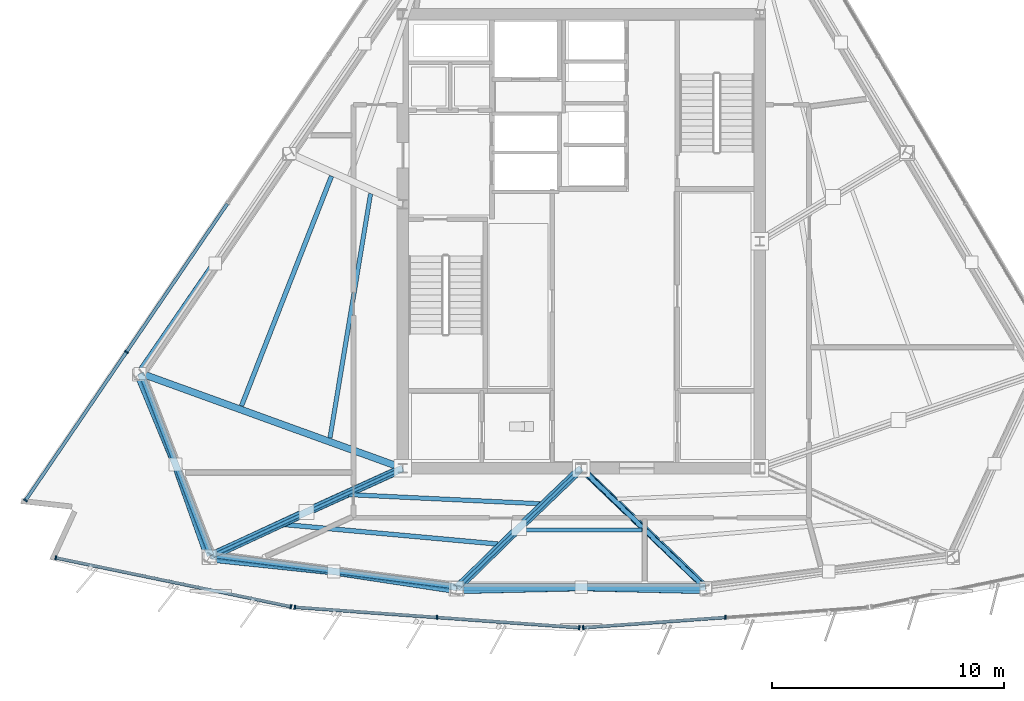
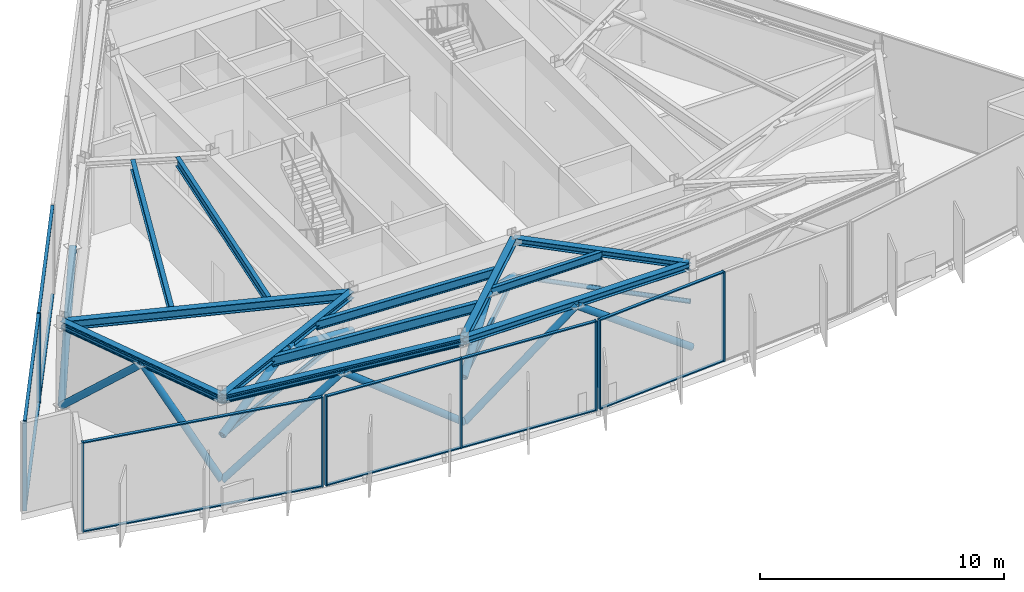
# One storey, part 2 of 14: 37 members, 12 beams, 4 elements without a shape of their own.
"""IFC4 building model written with IfcOpenShell, lengths in metres."""

from ifc_helpers import new_model, si_unit, direction, frame, origin, origin_2d, place, context, subcontext, project, spatial, rectangle, hollow_rectangle, hollow_circle, i_section, extrude, material, material_profile, profile_set, type_object, element, aggregate, save


model = new_model("IFC4")

# Units and contexts
model_context = context("Model", 3, precision=1e-05, world=origin(), true_north=direction((0.0, 1.0)))
body_context = subcontext(model_context, "Body", "Model", "MODEL_VIEW")
ifc_project = project(units=[si_unit("LENGTHUNIT", "METRE"), si_unit("AREAUNIT", "SQUARE_METRE"), si_unit("VOLUMEUNIT", "CUBIC_METRE"), si_unit("PLANEANGLEUNIT", "RADIAN"), si_unit("MASSUNIT", "GRAM", prefix="KILO")], contexts=[model_context])

# Site, building, storey
site_placement = place(None, origin())
site = spatial("IfcSite", under=ifc_project, at=site_placement, CompositionType="ELEMENT")
building_placement = place(site_placement, origin())
building = spatial("IfcBuilding", under=site, at=building_placement, Name="Savorim Split Tower", CompositionType="ELEMENT")
storey_placement = place(building_placement, frame((0.0, 0.0, 241.5)))
storey = spatial("IfcBuildingStorey", under=building, at=storey_placement, Name="L64", CompositionType="ELEMENT", Elevation=241.5)

# Beams
ifc_material_1 = material(Name="Steel S355", Category="steel")
ifc_material_profile_1 = material_profile(ifc_material_1, i_section(OverallWidth=0.179931640625, OverallDepth=0.39990234375, WebThickness=0.008544921875, FlangeThickness=0.013427734375, FilletRadius=0.02099609375, at=origin_2d()), Name="IPE 400")
ifc_profile_set_1 = profile_set([ifc_material_profile_1], Name="Steel S355")
beam_type_1 = type_object("IfcBeamType", Name="BM-JST-IPE400", PredefinedType="JOIST", material=ifc_profile_set_1)
beam_1_placement = place(storey_placement, frame((-2.62890625, -12.0703125, 4.300048828125), z_axis=(1.0, 0.0, 0.0), x_axis=(0.0, 1.0, 0.0)))
element("IfcBeam", 1, at=beam_1_placement, inside=storey, type_object=beam_type_1, Name="L64 Secondary Floor Joist JS-03", PredefinedType="JOIST", context=body_context, shape_type="SweptSolid", body=[
    extrude(i_section(OverallWidth=0.179931640625, OverallDepth=0.39990234375, WebThickness=0.008544921875, FlangeThickness=0.013427734375, FilletRadius=0.02099609375, at=origin_2d()), origin(), (0.0, 0.0, 1.0), 5.2578125),
])
ifc_material_profile_2 = material_profile(ifc_material_1, i_section(OverallWidth=0.18994140625, OverallDepth=0.449951171875, WebThickness=0.009521484375, FlangeThickness=0.0146484375, FilletRadius=0.02099609375, at=origin_2d()), Name="IPE 450")
ifc_profile_set_2 = profile_set([ifc_material_profile_2], Name="Steel S355")
beam_type_2 = type_object("IfcBeamType", Name="BM-JST-IPE450", PredefinedType="JOIST", material=ifc_profile_set_2)
beam_2_placement = place(storey_placement, frame((-10.03076171875, -10.538330078125, 4.27490234375), z_axis=(0.998861784835, -0.047698373106, 0.0), x_axis=(0.047698373106, 0.998861784835, 0.0)))
element("IfcBeam", 2, at=beam_2_placement, inside=storey, type_object=beam_type_2, Name="L64 Secondary Floor Joist JS-02", PredefinedType="JOIST", context=body_context, shape_type="SweptSolid", body=[
    extrude(i_section(OverallWidth=0.18994140625, OverallDepth=0.449951171875, WebThickness=0.009521484375, FlangeThickness=0.0146484375, FilletRadius=0.02099609375, at=origin_2d()), origin(), (0.0, 0.0, 1.0), 8.271484375),
])
beam_3_placement = place(storey_placement, frame((-9.090087890625, 2.452880859375, 4.27490234375), z_axis=(-0.163995363288, -0.986461109634, 0.0), x_axis=(0.986461109634, -0.163995363288, 0.0)))
element("IfcBeam", 3, at=beam_3_placement, inside=storey, type_object=beam_type_2, Name="L64 Secondary Floor Joist JS-11", PredefinedType="JOIST", context=body_context, shape_type="SweptSolid", body=[
    extrude(i_section(OverallWidth=0.18994140625, OverallDepth=0.449951171875, WebThickness=0.009521484375, FlangeThickness=0.0146484375, FilletRadius=0.02099609375, at=origin_2d()), origin(), (0.0, 0.0, 1.0), 10.69189453125),
])
ifc_material_profile_3 = material_profile(ifc_material_1, i_section(OverallWidth=0.199951171875, OverallDepth=0.5, WebThickness=0.01025390625, FlangeThickness=0.01611328125, FilletRadius=0.02099609375, at=origin_2d()), Name="IPE 500")
ifc_profile_set_3 = profile_set([ifc_material_profile_3], Name="Steel S355")
beam_type_3 = type_object("IfcBeamType", Name="BM-JST-IPE500", PredefinedType="JOIST", material=ifc_profile_set_3)
beam_4_placement = place(storey_placement, frame((-12.853759765625, -11.82666015625, 4.25), z_axis=(0.995862164865, -0.090876556876, 0.0), x_axis=(0.090876556876, 0.995862164865, 0.0)))
element("IfcBeam", 4, at=beam_4_placement, inside=storey, type_object=beam_type_3, Name="L64 Secondary Floor Joist JS-01", PredefinedType="JOIST", context=body_context, shape_type="SweptSolid", body=[
    extrude(i_section(OverallWidth=0.199951171875, OverallDepth=0.5, WebThickness=0.01025390625, FlangeThickness=0.01611328125, FilletRadius=0.02099609375, at=origin_2d()), origin(), (0.0, 0.0, 1.0), 9.30078125),
])
beam_5_placement = place(storey_placement, frame((-10.778564453125, 3.202880859375, 4.25), z_axis=(-0.364686429979, -0.931130392474, 0.0), x_axis=(0.931130392474, -0.364686429979, 0.0)))
element("IfcBeam", 5, at=beam_5_placement, inside=storey, type_object=beam_type_3, Name="L64 Secondary Floor Joist JS-10", PredefinedType="JOIST", context=body_context, shape_type="SweptSolid", body=[
    extrude(i_section(OverallWidth=0.199951171875, OverallDepth=0.5, WebThickness=0.01025390625, FlangeThickness=0.01611328125, FilletRadius=0.02099609375, at=origin_2d()), origin(), (0.0, 0.0, 1.0), 10.64501953125),
])
ifc_material_profile_4 = material_profile(ifc_material_1, i_section(OverallWidth=0.300048828125, OverallDepth=0.320068359375, WebThickness=0.011474609375, FlangeThickness=0.0205078125, FilletRadius=0.027099609375, at=origin_2d()), Name="HEB 320")
ifc_profile_set_4 = profile_set([ifc_material_profile_4], Name="Steel S355")
beam_type_4 = type_object("IfcBeamType", Name="BM-PRI-HEB320", PredefinedType="BEAM", material=ifc_profile_set_4)
beam_6_placement = place(storey_placement, frame((-16.001708984375, -13.169189453125, 4.340087890625), z_axis=(0.910541549997, 0.413417568239, 0.0), x_axis=(-0.413417568239, 0.910541549997, 0.0)))
element("IfcBeam", 6, at=beam_6_placement, inside=storey, type_object=beam_type_4, Name="L64 Primary Floor Girder RG-01", PredefinedType="BEAM", context=body_context, shape_type="SweptSolid", body=[
    extrude(i_section(OverallWidth=0.300048828125, OverallDepth=0.320068359375, WebThickness=0.011474609375, FlangeThickness=0.0205078125, FilletRadius=0.027099609375, at=origin_2d()), origin(), (0.0, 0.0, 1.0), 9.117431640625),
])
for number, where, z_axis, x_axis, name in (
    (7, (-5.363037109375, -14.534912109375, 4.340087890625), (0.722295429278, 0.691584638959, 0.0), (-0.691584638959, 0.722295429278, 0.0), "L64 Primary Floor Girder RG-02"),
    (8, (5.363037109375, -14.534912109375, 4.340087890625), (-0.722295429278, 0.691584638959, 0.0), (-0.691584638959, -0.722295429278, 0.0), "L64 Primary Floor Girder RG-03"),
):
    element("IfcBeam", number, at=place(storey_placement, frame(where, z_axis=z_axis, x_axis=x_axis)), inside=storey, type_object=beam_type_4, Name=name, PredefinedType="BEAM", context=body_context, shape_type="SweptSolid", body=[
        extrude(i_section(OverallWidth=0.300048828125, OverallDepth=0.320068359375, WebThickness=0.011474609375, FlangeThickness=0.0205078125, FilletRadius=0.027099609375, at=origin_2d()), origin(), (0.0, 0.0, 1.0), 7.425048828125),
    ])
ifc_material_profile_5 = material_profile(ifc_material_1, i_section(OverallWidth=0.300048828125, OverallDepth=0.449951171875, WebThickness=0.013916015625, FlangeThickness=0.02587890625, FilletRadius=0.027099609375, at=origin_2d()), Name="HEB 450")
ifc_profile_set_5 = profile_set([ifc_material_profile_5], Name="Steel S355")
beam_type_5 = type_object("IfcBeamType", Name="BM-PRI-HEB450", PredefinedType="BEAM", material=ifc_profile_set_5)
beam_7_placement = place(storey_placement, frame((-19.020751953125, -5.2998046875, 4.27490234375), z_axis=(0.94023428768, -0.340528242987, 0.0), x_axis=(0.340528242987, 0.94023428768, 0.0)))
element("IfcBeam", 9, at=beam_7_placement, inside=storey, type_object=beam_type_5, Name="L64 Primary Floor Girder RG-10", PredefinedType="BEAM", context=body_context, shape_type="SweptSolid", body=[
    extrude(i_section(OverallWidth=0.300048828125, OverallDepth=0.449951171875, WebThickness=0.013916015625, FlangeThickness=0.02587890625, FilletRadius=0.027099609375, at=origin_2d()), origin(), (0.0, 0.0, 1.0), 12.040283203125),
])
ifc_material_profile_6 = material_profile(ifc_material_1, i_section(OverallWidth=0.300048828125, OverallDepth=0.35009765625, WebThickness=0.010009765625, FlangeThickness=0.017578125, FilletRadius=0.027099609375, at=origin_2d()), Name="HEA 360")
ifc_profile_set_6 = profile_set([ifc_material_profile_6], Name="Steel S355")
beam_type_6 = type_object("IfcBeamType", Name="BM-SPN-HEA360", PredefinedType="SPANDREL", material=ifc_profile_set_6)
for number, where, z_axis, x_axis, name in (
    (10, (-16.001708984375, -13.169189453125, 4.324951171875), (0.991860597324, -0.127328533629, 0.0), (0.127328533629, 0.991860597324, 0.0), "L64 Perimeter Spandrel Beam 1"),
    (11, (-5.363037109375, -14.534912109375, 4.324951171875), (1.0, 0.0, 0.0), (0.0, 1.0, 0.0), "L64 Perimeter Spandrel Beam 2"),
):
    element("IfcBeam", number, at=place(storey_placement, frame(where, z_axis=z_axis, x_axis=x_axis)), inside=storey, type_object=beam_type_6, Name=name, PredefinedType="SPANDREL", context=body_context, shape_type="SweptSolid", body=[
        extrude(i_section(OverallWidth=0.300048828125, OverallDepth=0.35009765625, WebThickness=0.010009765625, FlangeThickness=0.017578125, FilletRadius=0.027099609375, at=origin_2d()), origin(), (0.0, 0.0, 1.0), 10.72607421875),
    ])
beam_8_placement = place(storey_placement, frame((-19.020751953125, -5.2998046875, 4.324951171875), z_axis=(0.358188965456, -0.933649112368, 0.0), x_axis=(0.933649112368, 0.358188965456, 0.0)))
element("IfcBeam", 12, at=beam_8_placement, inside=storey, type_object=beam_type_6, Name="L64 Perimeter Spandrel Beam 10", PredefinedType="SPANDREL", context=body_context, shape_type="SweptSolid", body=[
    extrude(i_section(OverallWidth=0.300048828125, OverallDepth=0.35009765625, WebThickness=0.010009765625, FlangeThickness=0.017578125, FilletRadius=0.027099609375, at=origin_2d()), origin(), (0.0, 0.0, 1.0), 8.4287109375),
])

# Curtain wall, members
ifc_material_2 = material(Name="Dark Ceramic-Fritted Insulated Glass", Category="glass")
curtain_wall_type = type_object("IfcCurtainWallType", Name="CW-REFUGE-LVR", PredefinedType="NOTDEFINED", material=ifc_material_2)
curtain_wall_1_placement = place(storey_placement, origin())
curtain_wall_1 = element("IfcCurtainWall", 13, at=curtain_wall_1_placement, inside=storey, type_object=curtain_wall_type, Name="L64 Curtain Wall CW-L64-SF1", PredefinedType="NOTDEFINED")
ifc_material_3 = material(Name="Charcoal Anodised Aluminium", Category="aluminium")
ifc_material_profile_7 = material_profile(ifc_material_3, rectangle(XDim=0.179931640625, YDim=0.06494140625, at=origin_2d()), Name="ALU-M 180x65")
ifc_profile_set_7 = profile_set([ifc_material_profile_7], Name="Charcoal Anodised Aluminium")
member_type_1 = type_object("IfcMemberType", Name="CWM-180x65", PredefinedType="MULLION", material=ifc_profile_set_7)
member_1_placement = place(storey_placement, frame((-22.675537109375, -13.2666015625, 0.0), z_axis=(0.0, 0.0, 1.0), x_axis=(0.20320761208, 0.979135673129, 0.0)))
member_1 = element("IfcMember", 14, at=member_1_placement, type_object=member_type_1, Name="CW-06 mullion 1", PredefinedType="MULLION", context=body_context, shape_type="SweptSolid", body=[
    extrude(rectangle(XDim=0.179931640625, YDim=0.06494140625, at=origin_2d()), origin(), (0.0, 0.0, 1.0), 4.5),
])
member_2_placement = place(storey_placement, frame((-12.526611328125, -15.372802734375, 0.0), z_axis=(0.0, 0.0, 1.0), x_axis=(0.20320761208, 0.979135673129, 0.0)))
member_2 = element("IfcMember", 15, at=member_2_placement, type_object=member_type_1, Name="CW-06 mullion 2", PredefinedType="MULLION", context=body_context, shape_type="SweptSolid", body=[
    extrude(rectangle(XDim=0.179931640625, YDim=0.06494140625, at=origin_2d()), origin(), (0.0, 0.0, 1.0), 4.5),
])

curtain_wall_2_placement = place(storey_placement, origin())
curtain_wall_2 = element("IfcCurtainWall", 16, at=curtain_wall_2_placement, inside=storey, type_object=curtain_wall_type, Name="L64 Curtain Wall CW-L64-SF2", PredefinedType="NOTDEFINED")
member_3_placement = place(storey_placement, frame((-12.359619140625, -15.396240234375, 0.0), z_axis=(0.0, 0.0, 1.0), x_axis=(0.071562386711, 0.997436125678, 0.0)))
member_3 = element("IfcMember", 17, at=member_3_placement, type_object=member_type_1, Name="CW-06 mullion 1", PredefinedType="MULLION", context=body_context, shape_type="SweptSolid", body=[
    extrude(rectangle(XDim=0.179931640625, YDim=0.06494140625, at=origin_2d()), origin(), (0.0, 0.0, 1.0), 4.5),
])
member_4_placement = place(storey_placement, frame((-6.2216796875, -15.83642578125, 0.0), z_axis=(0.0, 0.0, 1.0), x_axis=(0.071562386711, 0.997436125678, 0.0)))
member_4 = element("IfcMember", 18, at=member_4_placement, type_object=member_type_1, Name="CW-06 mullion 2", PredefinedType="MULLION", context=body_context, shape_type="SweptSolid", body=[
    extrude(rectangle(XDim=0.179931640625, YDim=0.06494140625, at=origin_2d()), origin(), (0.0, 0.0, 1.0), 4.5),
])
member_5_placement = place(storey_placement, frame((-0.083740234375, -16.27685546875, 0.0), z_axis=(0.0, 0.0, 1.0), x_axis=(0.071562386711, 0.997436125678, 0.0)))
member_5 = element("IfcMember", 19, at=member_5_placement, type_object=member_type_1, Name="CW-06 mullion 3", PredefinedType="MULLION", context=body_context, shape_type="SweptSolid", body=[
    extrude(rectangle(XDim=0.179931640625, YDim=0.06494140625, at=origin_2d()), origin(), (0.0, 0.0, 1.0), 4.5),
])

curtain_wall_3_placement = place(storey_placement, origin())
curtain_wall_3 = element("IfcCurtainWall", 20, at=curtain_wall_3_placement, inside=storey, type_object=curtain_wall_type, Name="L64 Curtain Wall CW-L64-SF3", PredefinedType="NOTDEFINED")
member_6_placement = place(storey_placement, frame((0.083740234375, -16.27685546875, 0.0), z_axis=(0.0, 0.0, 1.0), x_axis=(-0.071562386711, 0.997436125678, 0.0)))
member_6 = element("IfcMember", 21, at=member_6_placement, type_object=member_type_1, Name="CW-06 mullion 1", PredefinedType="MULLION", context=body_context, shape_type="SweptSolid", body=[
    extrude(rectangle(XDim=0.179931640625, YDim=0.06494140625, at=origin_2d()), origin(), (0.0, 0.0, 1.0), 4.5),
])
member_7_placement = place(storey_placement, frame((6.2216796875, -15.83642578125, 0.0), z_axis=(0.0, 0.0, 1.0), x_axis=(-0.071562386711, 0.997436125678, 0.0)))
member_7 = element("IfcMember", 22, at=member_7_placement, type_object=member_type_1, Name="CW-06 mullion 2", PredefinedType="MULLION", context=body_context, shape_type="SweptSolid", body=[
    extrude(rectangle(XDim=0.179931640625, YDim=0.06494140625, at=origin_2d()), origin(), (0.0, 0.0, 1.0), 4.5),
])

curtain_wall_4_placement = place(storey_placement, origin())
curtain_wall_4 = element("IfcCurtainWall", 23, at=curtain_wall_4_placement, inside=storey, type_object=curtain_wall_type, Name="L64 Curtain Wall CW-L64-WEST", PredefinedType="NOTDEFINED")
member_8_placement = place(storey_placement, frame((-19.6240234375, -4.38525390625, 0.0), z_axis=(0.0, 0.0, 1.0), x_axis=(0.826818160785, -0.562469313826, 0.0)))
member_8 = element("IfcMember", 24, at=member_8_placement, type_object=member_type_1, Name="CW-06 mullion 5", PredefinedType="MULLION", context=body_context, shape_type="SweptSolid", body=[
    extrude(rectangle(XDim=0.179931640625, YDim=0.06494140625, at=origin_2d()), origin(), (0.0, 0.0, 1.0), 4.5),
])
member_9_placement = place(storey_placement, frame((-23.978515625, -10.786376953125, 0.0), z_axis=(0.0, 0.0, 1.0), x_axis=(0.826818160785, -0.562469313826, 0.0)))
member_9 = element("IfcMember", 25, at=member_9_placement, type_object=member_type_1, Name="CW-06 mullion 6", PredefinedType="MULLION", context=body_context, shape_type="SweptSolid", body=[
    extrude(rectangle(XDim=0.179931640625, YDim=0.06494140625, at=origin_2d()), origin(), (0.0, 0.0, 1.0), 4.5),
])

# Member
ifc_material_profile_8 = material_profile(ifc_material_3, rectangle(XDim=0.139892578125, YDim=0.054931640625, at=origin_2d()), Name="ALU-T 140x55")
ifc_profile_set_8 = profile_set([ifc_material_profile_8], Name="Charcoal Anodised Aluminium")
member_type_2 = type_object("IfcMemberType", Name="CWT-140x55", PredefinedType="USERDEFINED", material=ifc_profile_set_8)
member_10_placement = place(storey_placement, frame((-22.643798828125, -13.273193359375, 0.027587890625), z_axis=(0.979137485667, -0.20319887835, 0.0), x_axis=(0.20319887835, 0.979137485667, 0.0)))
member_10 = element("IfcMember", 26, at=member_10_placement, type_object=member_type_2, Name="CW-06 transom 1.1", ObjectType="TRANSOM", PredefinedType="USERDEFINED", context=body_context, shape_type="SweptSolid", body=[
    extrude(rectangle(XDim=0.139892578125, YDim=0.054931640625, at=origin_2d()), origin(), (0.0, 0.0, 1.0), 10.30029296875),
])

member_11_placement = place(storey_placement, frame((-22.643798828125, -13.273193359375, 4.472412109375), z_axis=(0.979137485667, -0.20319887835, 0.0), x_axis=(0.20319887835, 0.979137485667, 0.0)))
member_11 = element("IfcMember", 27, at=member_11_placement, type_object=member_type_2, Name="CW-06 transom 1.2", ObjectType="TRANSOM", PredefinedType="USERDEFINED", context=body_context, shape_type="SweptSolid", body=[
    extrude(rectangle(XDim=0.139892578125, YDim=0.054931640625, at=origin_2d()), origin(), (0.0, 0.0, 1.0), 10.30029296875),
])

aggregate(curtain_wall_1, [member_1, member_2, member_10, member_11])

member_12_placement = place(storey_placement, frame((-12.3271484375, -15.3984375, 0.027587890625), z_axis=(0.997435238596, -0.071574749785, 0.0), x_axis=(0.071574749785, 0.997435238596, 0.0)))
member_12 = element("IfcMember", 28, at=member_12_placement, type_object=member_type_2, Name="CW-06 transom 1.1", ObjectType="TRANSOM", PredefinedType="USERDEFINED", context=body_context, shape_type="SweptSolid", body=[
    extrude(rectangle(XDim=0.139892578125, YDim=0.054931640625, at=origin_2d()), origin(), (0.0, 0.0, 1.0), 6.088623046875),
])

member_13_placement = place(storey_placement, frame((-12.3271484375, -15.3984375, 4.472412109375), z_axis=(0.997435238596, -0.071574749785, 0.0), x_axis=(0.071574749785, 0.997435238596, 0.0)))
member_13 = element("IfcMember", 29, at=member_13_placement, type_object=member_type_2, Name="CW-06 transom 1.2", ObjectType="TRANSOM", PredefinedType="USERDEFINED", context=body_context, shape_type="SweptSolid", body=[
    extrude(rectangle(XDim=0.139892578125, YDim=0.054931640625, at=origin_2d()), origin(), (0.0, 0.0, 1.0), 6.088623046875),
])

member_14_placement = place(storey_placement, frame((-6.189208984375, -15.8388671875, 0.027587890625), z_axis=(0.997435238596, -0.071574749785, 0.0), x_axis=(0.071574749785, 0.997435238596, 0.0)))
member_14 = element("IfcMember", 30, at=member_14_placement, type_object=member_type_2, Name="CW-06 transom 2.1", ObjectType="TRANSOM", PredefinedType="USERDEFINED", context=body_context, shape_type="SweptSolid", body=[
    extrude(rectangle(XDim=0.139892578125, YDim=0.054931640625, at=origin_2d()), origin(), (0.0, 0.0, 1.0), 6.088623046875),
])

member_15_placement = place(storey_placement, frame((-6.189208984375, -15.8388671875, 4.472412109375), z_axis=(0.997435238596, -0.071574749785, 0.0), x_axis=(0.071574749785, 0.997435238596, 0.0)))
member_15 = element("IfcMember", 31, at=member_15_placement, type_object=member_type_2, Name="CW-06 transom 2.2", ObjectType="TRANSOM", PredefinedType="USERDEFINED", context=body_context, shape_type="SweptSolid", body=[
    extrude(rectangle(XDim=0.139892578125, YDim=0.054931640625, at=origin_2d()), origin(), (0.0, 0.0, 1.0), 6.088623046875),
])

aggregate(curtain_wall_2, [member_3, member_4, member_5, member_12, member_13, member_14, member_15])

member_16_placement = place(storey_placement, frame((0.1162109375, -16.274658203125, 0.027587890625), z_axis=(0.997435238596, 0.071574749785, 0.0), x_axis=(-0.071574749785, 0.997435238596, 0.0)))
member_16 = element("IfcMember", 32, at=member_16_placement, type_object=member_type_2, Name="CW-06 transom 1.1", ObjectType="TRANSOM", PredefinedType="USERDEFINED", context=body_context, shape_type="SweptSolid", body=[
    extrude(rectangle(XDim=0.139892578125, YDim=0.054931640625, at=origin_2d()), origin(), (0.0, 0.0, 1.0), 6.088623046875),
])

member_17_placement = place(storey_placement, frame((0.1162109375, -16.274658203125, 4.472412109375), z_axis=(0.997435238596, 0.071574749785, 0.0), x_axis=(-0.071574749785, 0.997435238596, 0.0)))
member_17 = element("IfcMember", 33, at=member_17_placement, type_object=member_type_2, Name="CW-06 transom 1.2", ObjectType="TRANSOM", PredefinedType="USERDEFINED", context=body_context, shape_type="SweptSolid", body=[
    extrude(rectangle(XDim=0.139892578125, YDim=0.054931640625, at=origin_2d()), origin(), (0.0, 0.0, 1.0), 6.088623046875),
])

aggregate(curtain_wall_3, [member_6, member_7, member_16, member_17])

member_18_placement = place(storey_placement, frame((-15.269287109375, 2.01611328125, 0.027587890625), z_axis=(-0.562480647438, -0.826810450622, 0.0), x_axis=(0.826810450622, -0.562480647438, 0.0)))
member_18 = element("IfcMember", 34, at=member_18_placement, type_object=member_type_2, Name="CW-06 transom 4.1", ObjectType="TRANSOM", PredefinedType="USERDEFINED", context=body_context, shape_type="SweptSolid", body=[
    extrude(rectangle(XDim=0.139892578125, YDim=0.054931640625, at=origin_2d()), origin(), (0.0, 0.0, 1.0), 7.70947265625),
])

member_19_placement = place(storey_placement, frame((-15.269287109375, 2.01611328125, 4.472412109375), z_axis=(-0.562480647438, -0.826810450622, 0.0), x_axis=(0.826810450622, -0.562480647438, 0.0)))
member_19 = element("IfcMember", 35, at=member_19_placement, type_object=member_type_2, Name="CW-06 transom 4.2", ObjectType="TRANSOM", PredefinedType="USERDEFINED", context=body_context, shape_type="SweptSolid", body=[
    extrude(rectangle(XDim=0.139892578125, YDim=0.054931640625, at=origin_2d()), origin(), (0.0, 0.0, 1.0), 7.70947265625),
])

member_20_placement = place(storey_placement, frame((-19.642333984375, -4.412109375, 0.027587890625), z_axis=(-0.56247702116, -0.826812917574, 0.0), x_axis=(0.826812917574, -0.56247702116, 0.0)))
member_20 = element("IfcMember", 36, at=member_20_placement, type_object=member_type_2, Name="CW-06 transom 5.1", ObjectType="TRANSOM", PredefinedType="USERDEFINED", context=body_context, shape_type="SweptSolid", body=[
    extrude(rectangle(XDim=0.139892578125, YDim=0.054931640625, at=origin_2d()), origin(), (0.0, 0.0, 1.0), 7.677001953125),
])

member_21_placement = place(storey_placement, frame((-19.642333984375, -4.412109375, 4.472412109375), z_axis=(-0.56247702116, -0.826812917574, 0.0), x_axis=(0.826812917574, -0.56247702116, 0.0)))
member_21 = element("IfcMember", 37, at=member_21_placement, type_object=member_type_2, Name="CW-06 transom 5.2", ObjectType="TRANSOM", PredefinedType="USERDEFINED", context=body_context, shape_type="SweptSolid", body=[
    extrude(rectangle(XDim=0.139892578125, YDim=0.054931640625, at=origin_2d()), origin(), (0.0, 0.0, 1.0), 7.677001953125),
])

aggregate(curtain_wall_4, [member_8, member_9, member_18, member_19, member_20, member_21])

# Members
ifc_material_profile_9 = material_profile(ifc_material_1, hollow_circle(Radius=0.109619140625, WallThickness=0.012451171875, at=origin_2d()), Name="CHS 219.1x12.5")
ifc_profile_set_9 = profile_set([ifc_material_profile_9], Name="Steel S355")
member_type_3 = type_object("IfcMemberType", Name="MBR-BAY-CHS219", PredefinedType="BRACE", material=ifc_profile_set_9)
member_22_placement = place(storey_placement, frame((0.0, -9.39990234375, 2.52001953125), z_axis=(0.718925276981, -0.695087365817, 0.0), x_axis=(0.695087365817, 0.718925276981, 0.0)))
element("IfcMember", 38, at=member_22_placement, inside=storey, type_object=member_type_3, Name="L64 Secondary Belt Tie Strut 1", PredefinedType="BRACE", context=body_context, shape_type="SweptSolid", body=[
    extrude(hollow_circle(Radius=0.109619140625, WallThickness=0.012451171875, at=origin_2d()), origin(), (0.0, 0.0, 1.0), 7.476318359375),
])
ifc_material_4 = material(Name="Steel S460", Category="steel")
ifc_material_profile_10 = material_profile(ifc_material_4, hollow_circle(Radius=0.161865234375, WallThickness=0.01611328125, at=origin_2d()), Name="CHS 323.9x16")
ifc_profile_set_10 = profile_set([ifc_material_profile_10], Name="Steel S460")
member_type_4 = type_object("IfcMemberType", Name="MBR-BLT-CHS324", PredefinedType="BRACE", material=ifc_profile_set_10)
member_23_placement = place(storey_placement, frame((-16.073486328125, -13.28564453125, 0.280029296875), z_axis=(0.80801514197, -0.084892452195, 0.583013552079), x_axis=(0.104487849768, 0.994526163181, 0.0)))
element("IfcMember", 39, at=member_23_placement, inside=storey, type_object=member_type_4, Name="L64 Perimeter Belt Truss Brace 1A", PredefinedType="BRACE", context=body_context, shape_type="SweptSolid", body=[
    extrude(hollow_circle(Radius=0.161865234375, WallThickness=0.01611328125, at=origin_2d()), origin(), (0.0, 0.0, 1.0), 6.672119140625),
])
member_24_placement = place(storey_placement, frame((-5.386962890625, -14.65771484375, 0.280029296875), z_axis=(-0.799935290264, 0.121705230884, 0.587614982931), x_axis=(-0.150412943823, -0.988623258036, 0.0)))
element("IfcMember", 40, at=member_24_placement, inside=storey, type_object=member_type_4, Name="L64 Perimeter Belt Truss Brace 1B", PredefinedType="BRACE", context=body_context, shape_type="SweptSolid", body=[
    extrude(hollow_circle(Radius=0.161865234375, WallThickness=0.01611328125, at=origin_2d()), origin(), (0.0, 0.0, 1.0), 6.619873046875),
])
for number, where, z_axis, x_axis, name in (
    (41, (-5.386962890625, -14.65771484375, 0.280029296875), (0.810590213524, 0.018478444478, 0.585322178658), (-0.022790362736, 0.999740265952, 0.0), "L64 Perimeter Belt Truss Brace 2A"),
    (42, (5.386962890625, -14.65771484375, 0.280029296875), (-0.810590213524, 0.018478444478, 0.585322178658), (-0.022790362736, -0.999740265952, 0.0), "L64 Perimeter Belt Truss Brace 2B"),
):
    element("IfcMember", number, at=place(storey_placement, frame(where, z_axis=z_axis, x_axis=x_axis)), inside=storey, type_object=member_type_4, Name=name, PredefinedType="BRACE", context=body_context, shape_type="SweptSolid", body=[
        extrude(hollow_circle(Radius=0.161865234375, WallThickness=0.01611328125, at=origin_2d()), origin(), (0.0, 0.0, 1.0), 6.645751953125),
    ])
member_25_placement = place(storey_placement, frame((-19.1083984375, -5.375, 0.280029296875), z_axis=(0.471782180106, 0.68588720575, 0.55405804346), x_axis=(-0.823910270401, 0.566720271676, 0.0)))
element("IfcMember", 43, at=member_25_placement, inside=storey, type_object=member_type_4, Name="L64 Perimeter Belt Truss Brace 9B", PredefinedType="BRACE", context=body_context, shape_type="SweptSolid", body=[
    extrude(hollow_circle(Radius=0.161865234375, WallThickness=0.01611328125, at=origin_2d()), origin(), (0.0, 0.0, 1.0), 7.020751953125),
])
member_26_placement = place(storey_placement, frame((-19.1083984375, -5.375, 0.280029296875), z_axis=(0.279822469785, -0.676201990955, 0.681505871458), x_axis=(0.924009711652, 0.382369000799, 0.0)))
element("IfcMember", 44, at=member_26_placement, inside=storey, type_object=member_type_4, Name="L64 Perimeter Belt Truss Brace 10A", PredefinedType="BRACE", context=body_context, shape_type="SweptSolid", body=[
    extrude(hollow_circle(Radius=0.161865234375, WallThickness=0.01611328125, at=origin_2d()), origin(), (0.0, 0.0, 1.0), 5.707763671875),
])
member_27_placement = place(storey_placement, frame((-16.073486328125, -13.28564453125, 0.280029296875), z_axis=(-0.248000555271, 0.698772833013, 0.670978578219), x_axis=(-0.942406957155, -0.334468424678, 0.0)))
element("IfcMember", 45, at=member_27_placement, inside=storey, type_object=member_type_4, Name="L64 Perimeter Belt Truss Brace 10B", PredefinedType="BRACE", context=body_context, shape_type="SweptSolid", body=[
    extrude(hollow_circle(Radius=0.161865234375, WallThickness=0.01611328125, at=origin_2d()), origin(), (0.0, 0.0, 1.0), 5.79736328125),
])
ifc_material_profile_11 = material_profile(ifc_material_4, hollow_circle(Radius=0.177734375, WallThickness=0.02001953125, at=origin_2d()), Name="CHS 355.6x20")
ifc_profile_set_11 = profile_set([ifc_material_profile_11], Name="Steel S460")
member_type_5 = type_object("IfcMemberType", Name="MBR-BLT-CHS355", PredefinedType="BRACE", material=ifc_profile_set_11)
member_28_placement = place(storey_placement, frame((-7.699951171875, -9.39990234375, 2.47998046875), z_axis=(-0.851930432747, -0.386781026372, 0.353008463634), x_axis=(0.413395367036, -0.91055162979, 0.0)))
element("IfcMember", 46, at=member_28_placement, inside=storey, type_object=member_type_5, Name="L64 Outrigger Truss Diagonal S1-A", PredefinedType="BRACE", context=body_context, shape_type="SweptSolid", body=[
    extrude(hollow_circle(Radius=0.177734375, WallThickness=0.02001953125, at=origin_2d()), origin(), (0.0, 0.0, 1.0), 4.872314453125),
])
member_29_placement = place(storey_placement, frame((-11.850830078125, -11.284423828125, 4.199951171875), z_axis=(-0.849930858549, -0.394665614665, -0.349079630297), x_axis=(0.421159465987, -0.906986606412, 0.0)))
element("IfcMember", 47, at=member_29_placement, inside=storey, type_object=member_type_5, Name="L64 Outrigger Truss Diagonal S1-B", PredefinedType="BRACE", context=body_context, shape_type="SweptSolid", body=[
    extrude(hollow_circle(Radius=0.177734375, WallThickness=0.02001953125, at=origin_2d()), origin(), (0.0, 0.0, 1.0), 4.92724609375),
])
member_30_placement = place(storey_placement, frame((0.0, -9.39990234375, 2.47998046875), z_axis=(-0.655347588862, -0.627541709192, 0.420370004874), x_axis=(0.691618217539, -0.722263276907, 0.0)))
element("IfcMember", 48, at=member_30_placement, inside=storey, type_object=member_type_5, Name="L64 Outrigger Truss Diagonal S2-A", PredefinedType="BRACE", context=body_context, shape_type="SweptSolid", body=[
    extrude(hollow_circle(Radius=0.177734375, WallThickness=0.02001953125, at=origin_2d()), origin(), (0.0, 0.0, 1.0), 4.091552734375),
])
member_31_placement = place(storey_placement, frame((-2.681396484375, -11.967529296875, 4.199951171875), z_axis=(-0.650794801045, -0.635459777638, -0.415520153467), x_axis=(0.698626841744, -0.715486223483, 0.0)))
element("IfcMember", 49, at=member_31_placement, inside=storey, type_object=member_type_5, Name="L64 Outrigger Truss Diagonal S2-B", PredefinedType="BRACE", context=body_context, shape_type="SweptSolid", body=[
    extrude(hollow_circle(Radius=0.177734375, WallThickness=0.02001953125, at=origin_2d()), origin(), (0.0, 0.0, 1.0), 4.139404296875),
])
ifc_material_profile_12 = material_profile(ifc_material_1, hollow_rectangle(XDim=0.14990234375, YDim=0.25, WallThickness=0.012451171875, InnerFilletRadius=0.012451171875, OuterFilletRadius=0.02490234375, at=origin_2d()), Name="RHS 250x150x12.5")
ifc_profile_set_12 = profile_set([ifc_material_profile_12], Name="Steel S355")
member_type_6 = type_object("IfcMemberType", Name="MBR-CHD-RHS250", PredefinedType="CHORD", material=ifc_profile_set_12)
member_32_placement = place(storey_placement, frame((-16.01171875, -13.185302734375, 4.169921875), z_axis=(0.991859432249, -0.127337608975, 0.0), x_axis=(0.127337608975, 0.991859432249, 0.0)))
element("IfcMember", 50, at=member_32_placement, inside=storey, type_object=member_type_6, Name="L64 Perimeter Belt Truss Chord 1", PredefinedType="CHORD", context=body_context, shape_type="SweptSolid", body=[
    extrude(hollow_rectangle(XDim=0.14990234375, YDim=0.25, WallThickness=0.012451171875, InnerFilletRadius=0.012451171875, OuterFilletRadius=0.02490234375, at=origin_2d()), origin(), (0.0, 0.0, 1.0), 10.73291015625),
])
member_33_placement = place(storey_placement, frame((-19.032958984375, -5.310302734375, 4.169921875), z_axis=(0.358193410853, -0.933647406906, 0.0), x_axis=(0.933647406906, 0.358193410853, 0.0)))
element("IfcMember", 51, at=member_33_placement, inside=storey, type_object=member_type_6, Name="L64 Perimeter Belt Truss Chord 10", PredefinedType="CHORD", context=body_context, shape_type="SweptSolid", body=[
    extrude(hollow_rectangle(XDim=0.14990234375, YDim=0.25, WallThickness=0.012451171875, InnerFilletRadius=0.012451171875, OuterFilletRadius=0.02490234375, at=origin_2d()), origin(), (0.0, 0.0, 1.0), 8.4345703125),
])
member_34_placement = place(storey_placement, frame((-7.699951171875, -9.39990234375, 2.47998046875), z_axis=(-0.908766032481, -0.417306000686, 0.0), x_axis=(0.417306000686, -0.908766032481, 0.0)))
element("IfcMember", 52, at=member_34_placement, inside=storey, type_object=member_type_6, Name="L64 Outrigger Bottom Chord S1", PredefinedType="CHORD", context=body_context, shape_type="SweptSolid", body=[
    extrude(hollow_rectangle(XDim=0.14990234375, YDim=0.25, WallThickness=0.012451171875, InnerFilletRadius=0.012451171875, OuterFilletRadius=0.02490234375, at=origin_2d()), origin(), (0.0, 0.0, 1.0), 9.17578125),
])
member_35_placement = place(storey_placement, frame((0.0, -9.39990234375, 2.47998046875), z_axis=(-0.718859469469, -0.695155423739, 0.0), x_axis=(0.695155423739, -0.718859469469, 0.0)))
element("IfcMember", 53, at=member_35_placement, inside=storey, type_object=member_type_6, Name="L64 Outrigger Bottom Chord S2", PredefinedType="CHORD", context=body_context, shape_type="SweptSolid", body=[
    extrude(hollow_rectangle(XDim=0.14990234375, YDim=0.25, WallThickness=0.012451171875, InnerFilletRadius=0.012451171875, OuterFilletRadius=0.02490234375, at=origin_2d()), origin(), (0.0, 0.0, 1.0), 7.4775390625),
])

save(model, "model.ifc")
